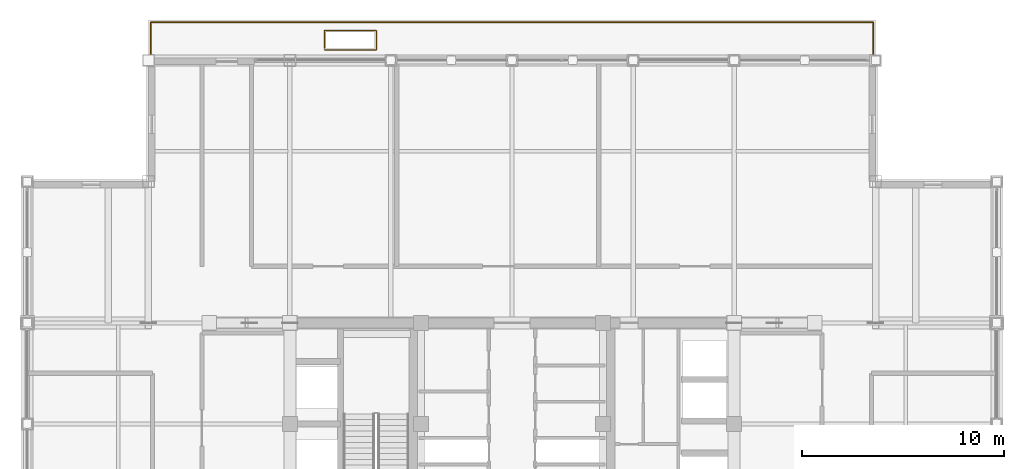
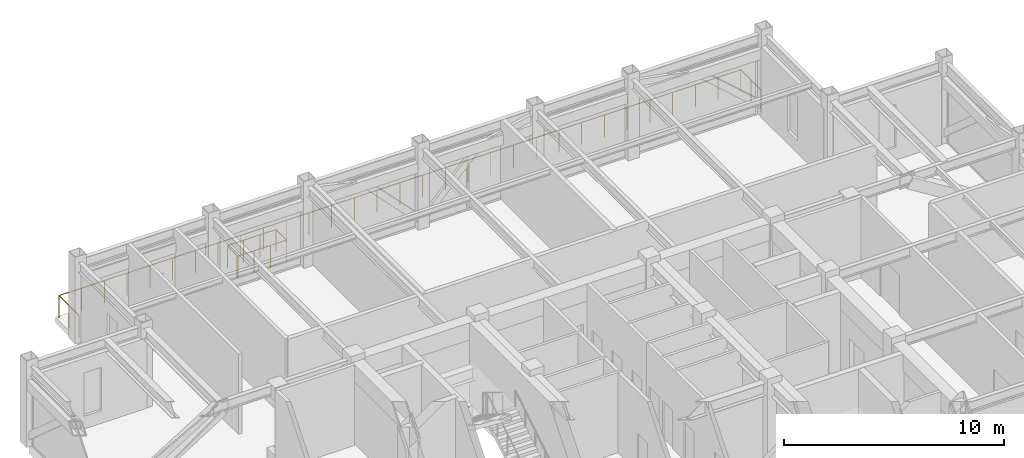
# One storey, part 32 of 32: 2 railings.
"""IFC4 building model written with IfcOpenShell, lengths in metres."""

from ifc_helpers import new_model, si_unit, direction, frame, origin, origin_2d, place, context, subcontext, project, spatial, circle, extrude, source, transform, mapped, material, type_object, element, save


model = new_model("IFC4")

# Units and contexts
model_context = context("Model", 3, precision=1e-05, world=origin(), true_north=direction((0.0, 1.0)))
body_context = subcontext(model_context, "Body", "Model", "MODEL_VIEW")
ifc_project = project(units=[si_unit("LENGTHUNIT", "METRE"), si_unit("AREAUNIT", "SQUARE_METRE"), si_unit("VOLUMEUNIT", "CUBIC_METRE"), si_unit("PLANEANGLEUNIT", "RADIAN"), si_unit("MASSUNIT", "GRAM", prefix="KILO")], contexts=[model_context])

# Site, building, storey
site_placement = place(None, origin())
site = spatial("IfcSite", under=ifc_project, at=site_placement, CompositionType="ELEMENT")
building_placement = place(site_placement, origin())
building = spatial("IfcBuilding", under=site, at=building_placement, Name="Khorayat Bourse Tower", CompositionType="ELEMENT")
storey_placement = place(building_placement, frame((0.0, 0.0, 375.5)))
storey = spatial("IfcBuildingStorey", under=building, at=storey_placement, Name="L89", CompositionType="ELEMENT", Elevation=375.5)

# Railings
ifc_material = material(Name="Laminated glass and bronze balustrade", Category="glass")
railing_type = type_object("IfcRailingType", Name="RLG-TERR-1250", PredefinedType="GUARDRAIL", material=ifc_material)
shared_shape_1 = source(origin(), body_context, "Body", "SweptSolid", [
    extrude(circle(Radius=0.02392578125, at=origin_2d()), frame((0.0, 0.0, 1.22607421875), z_axis=(1.0, 0.0, 0.0), x_axis=(0.0, 1.0, 0.0)), (0.0, 0.0, 1.0), 2.56005859375),
    extrude(circle(Radius=0.02392578125, at=origin_2d()), frame((2.56005859375, 0.0, 1.22607421875), z_axis=(0.0, 1.0, 0.0), x_axis=(-1.0, 0.0, 0.0)), (0.0, 0.0, 1.0), 0.9599609375),
    extrude(circle(Radius=0.02392578125, at=origin_2d()), frame((2.56005859375, 0.9599609375, 1.22607421875), z_axis=(-1.0, 0.0, 0.0), x_axis=(0.0, -1.0, 0.0)), (0.0, 0.0, 1.0), 2.56005859375),
    extrude(circle(Radius=0.02392578125, at=origin_2d()), frame((0.0, 0.9599609375, 1.22607421875), z_axis=(0.0, -1.0, 0.0), x_axis=(1.0, 0.0, 0.0)), (0.0, 0.0, 1.0), 0.8798828125),
    extrude(circle(Radius=0.02099609375, at=origin_2d()), origin(), (0.0, 0.0, 1.0), 1.201904296875),
    extrude(circle(Radius=0.02099609375, at=origin_2d()), frame((0.853271484375, 0.0, 0.0)), (0.0, 0.0, 1.0), 1.201904296875),
    extrude(circle(Radius=0.02099609375, at=origin_2d()), frame((1.706787109375, 0.0, 0.0)), (0.0, 0.0, 1.0), 1.201904296875),
    extrude(circle(Radius=0.02099609375, at=origin_2d()), frame((2.56005859375, 0.0, 0.0)), (0.0, 0.0, 1.0), 1.201904296875),
    extrude(circle(Radius=0.02099609375, at=origin_2d()), frame((2.56005859375, 0.9599609375, 0.0)), (0.0, 0.0, 1.0), 1.201904296875),
    extrude(circle(Radius=0.02099609375, at=origin_2d()), frame((1.706787109375, 0.9599609375, 0.0)), (0.0, 0.0, 1.0), 1.201904296875),
    extrude(circle(Radius=0.02099609375, at=origin_2d()), frame((0.853271484375, 0.9599609375, 0.0)), (0.0, 0.0, 1.0), 1.201904296875),
    extrude(circle(Radius=0.02099609375, at=origin_2d()), frame((0.0, 0.9599609375, 0.0)), (0.0, 0.0, 1.0), 1.201904296875),
    extrude(circle(Radius=0.02099609375, at=origin_2d()), frame((0.0, 0.080078125, 0.0)), (0.0, 0.0, 1.0), 1.201904296875),
])
railing_1_placement = place(storey_placement, frame((-9.280029296875, 24.52001953125, 0.0)))
element("IfcRailing", 1, at=railing_1_placement, inside=storey, type_object=railing_type, Name="L89 Terrace Tree-Pit Guardrail 01", PredefinedType="GUARDRAIL", context=body_context, shape_type="MappedRepresentation", body=[
    mapped(shared_shape_1, transform((0.0, 0.0, 0.0), scale=1.0)),
])
shared_shape_2 = source(origin(), body_context, "Body", "SweptSolid", [
    extrude(circle(Radius=0.02392578125, at=origin_2d()), frame((0.0, 0.0, 1.22607421875), z_axis=(0.0, 1.0, 0.0), x_axis=(-1.0, 0.0, 0.0)), (0.0, 0.0, 1.0), 1.829833984375),
    extrude(circle(Radius=0.02392578125, at=origin_2d()), frame((0.0, 1.829833984375, 1.22607421875), z_axis=(1.0, 0.0, 0.0), x_axis=(0.0, 1.0, 0.0)), (0.0, 0.0, 1.0), 35.759765625),
    extrude(circle(Radius=0.02392578125, at=origin_2d()), frame((35.759765625, 1.829833984375, 1.22607421875), z_axis=(0.0, -1.0, 0.0), x_axis=(1.0, 0.0, 0.0)), (0.0, 0.0, 1.0), 1.829833984375),
    extrude(circle(Radius=0.02099609375, at=origin_2d()), origin(), (0.0, 0.0, 1.0), 1.201904296875),
    extrude(circle(Radius=0.02099609375, at=origin_2d()), frame((0.0, 0.9150390625, 0.0)), (0.0, 0.0, 1.0), 1.201904296875),
    extrude(circle(Radius=0.02099609375, at=origin_2d()), frame((0.0, 1.829833984375, 0.0)), (0.0, 0.0, 1.0), 1.201904296875),
    extrude(circle(Radius=0.02099609375, at=origin_2d()), frame((1.19189453125, 1.829833984375, 0.0)), (0.0, 0.0, 1.0), 1.201904296875),
    extrude(circle(Radius=0.02099609375, at=origin_2d()), frame((2.384033203125, 1.829833984375, 0.0)), (0.0, 0.0, 1.0), 1.201904296875),
    extrude(circle(Radius=0.02099609375, at=origin_2d()), frame((3.575927734375, 1.829833984375, 0.0)), (0.0, 0.0, 1.0), 1.201904296875),
    extrude(circle(Radius=0.02099609375, at=origin_2d()), frame((4.76806640625, 1.829833984375, 0.0)), (0.0, 0.0, 1.0), 1.201904296875),
    extrude(circle(Radius=0.02099609375, at=origin_2d()), frame((5.9599609375, 1.829833984375, 0.0)), (0.0, 0.0, 1.0), 1.201904296875),
    extrude(circle(Radius=0.02099609375, at=origin_2d()), frame((7.15185546875, 1.829833984375, 0.0)), (0.0, 0.0, 1.0), 1.201904296875),
    extrude(circle(Radius=0.02099609375, at=origin_2d()), frame((8.343994140625, 1.829833984375, 0.0)), (0.0, 0.0, 1.0), 1.201904296875),
    extrude(circle(Radius=0.02099609375, at=origin_2d()), frame((9.535888671875, 1.829833984375, 0.0)), (0.0, 0.0, 1.0), 1.201904296875),
    extrude(circle(Radius=0.02099609375, at=origin_2d()), frame((10.72802734375, 1.829833984375, 0.0)), (0.0, 0.0, 1.0), 1.201904296875),
    extrude(circle(Radius=0.02099609375, at=origin_2d()), frame((11.919921875, 1.829833984375, 0.0)), (0.0, 0.0, 1.0), 1.201904296875),
    extrude(circle(Radius=0.02099609375, at=origin_2d()), frame((13.11181640625, 1.829833984375, 0.0)), (0.0, 0.0, 1.0), 1.201904296875),
    extrude(circle(Radius=0.02099609375, at=origin_2d()), frame((14.303955078125, 1.829833984375, 0.0)), (0.0, 0.0, 1.0), 1.201904296875),
    extrude(circle(Radius=0.02099609375, at=origin_2d()), frame((15.495849609375, 1.829833984375, 0.0)), (0.0, 0.0, 1.0), 1.201904296875),
    extrude(circle(Radius=0.02099609375, at=origin_2d()), frame((16.68798828125, 1.829833984375, 0.0)), (0.0, 0.0, 1.0), 1.201904296875),
    extrude(circle(Radius=0.02099609375, at=origin_2d()), frame((17.8798828125, 1.829833984375, 0.0)), (0.0, 0.0, 1.0), 1.201904296875),
    extrude(circle(Radius=0.02099609375, at=origin_2d()), frame((19.07177734375, 1.829833984375, 0.0)), (0.0, 0.0, 1.0), 1.201904296875),
    extrude(circle(Radius=0.02099609375, at=origin_2d()), frame((20.263916015625, 1.829833984375, 0.0)), (0.0, 0.0, 1.0), 1.201904296875),
    extrude(circle(Radius=0.02099609375, at=origin_2d()), frame((21.455810546875, 1.829833984375, 0.0)), (0.0, 0.0, 1.0), 1.201904296875),
    extrude(circle(Radius=0.02099609375, at=origin_2d()), frame((22.64794921875, 1.829833984375, 0.0)), (0.0, 0.0, 1.0), 1.201904296875),
    extrude(circle(Radius=0.02099609375, at=origin_2d()), frame((23.83984375, 1.829833984375, 0.0)), (0.0, 0.0, 1.0), 1.201904296875),
    extrude(circle(Radius=0.02099609375, at=origin_2d()), frame((25.03173828125, 1.829833984375, 0.0)), (0.0, 0.0, 1.0), 1.201904296875),
    extrude(circle(Radius=0.02099609375, at=origin_2d()), frame((26.223876953125, 1.829833984375, 0.0)), (0.0, 0.0, 1.0), 1.201904296875),
    extrude(circle(Radius=0.02099609375, at=origin_2d()), frame((27.415771484375, 1.829833984375, 0.0)), (0.0, 0.0, 1.0), 1.201904296875),
    extrude(circle(Radius=0.02099609375, at=origin_2d()), frame((28.60791015625, 1.829833984375, 0.0)), (0.0, 0.0, 1.0), 1.201904296875),
    extrude(circle(Radius=0.02099609375, at=origin_2d()), frame((29.7998046875, 1.829833984375, 0.0)), (0.0, 0.0, 1.0), 1.201904296875),
    extrude(circle(Radius=0.02099609375, at=origin_2d()), frame((30.99169921875, 1.829833984375, 0.0)), (0.0, 0.0, 1.0), 1.201904296875),
    extrude(circle(Radius=0.02099609375, at=origin_2d()), frame((32.183837890625, 1.829833984375, 0.0)), (0.0, 0.0, 1.0), 1.201904296875),
    extrude(circle(Radius=0.02099609375, at=origin_2d()), frame((33.375732421875, 1.829833984375, 0.0)), (0.0, 0.0, 1.0), 1.201904296875),
    extrude(circle(Radius=0.02099609375, at=origin_2d()), frame((34.56787109375, 1.829833984375, 0.0)), (0.0, 0.0, 1.0), 1.201904296875),
    extrude(circle(Radius=0.02099609375, at=origin_2d()), frame((35.759765625, 1.829833984375, 0.0)), (0.0, 0.0, 1.0), 1.201904296875),
    extrude(circle(Radius=0.02099609375, at=origin_2d()), frame((35.759765625, 0.9150390625, 0.0)), (0.0, 0.0, 1.0), 1.201904296875),
    extrude(circle(Radius=0.02099609375, at=origin_2d()), frame((35.759765625, 0.0, 0.0)), (0.0, 0.0, 1.0), 1.201904296875),
])
railing_2_placement = place(storey_placement, frame((-17.8798828125, 24.050048828125, 0.0)))
element("IfcRailing", 2, at=railing_2_placement, inside=storey, type_object=railing_type, Name="L89 North Setback Terrace Guardrail", PredefinedType="GUARDRAIL", context=body_context, shape_type="MappedRepresentation", body=[
    mapped(shared_shape_2, transform((0.0, 0.0, 0.0), scale=1.0)),
])

save(model, "model.ifc")
